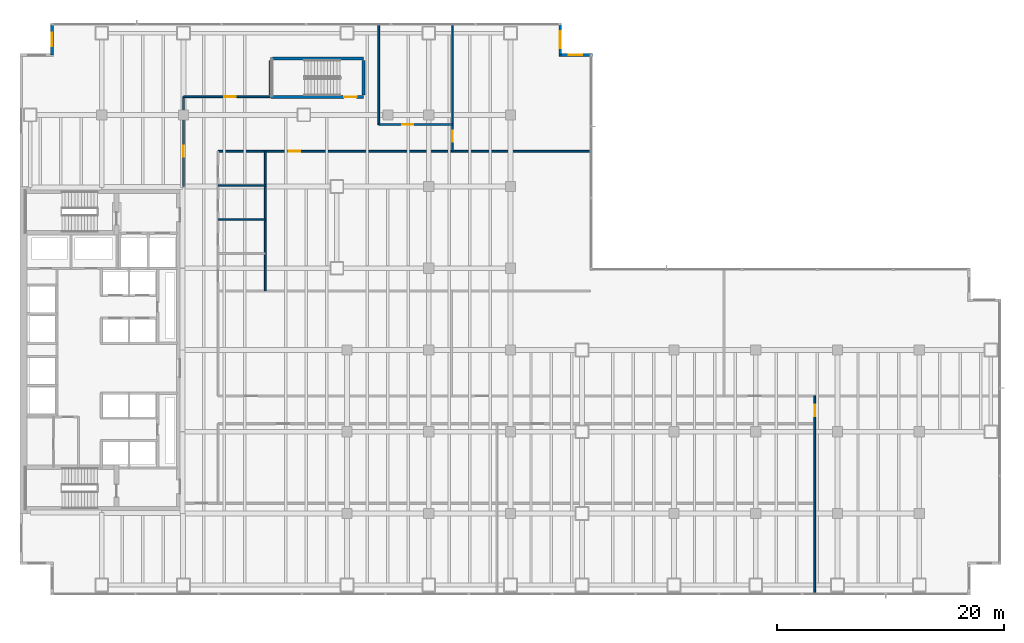
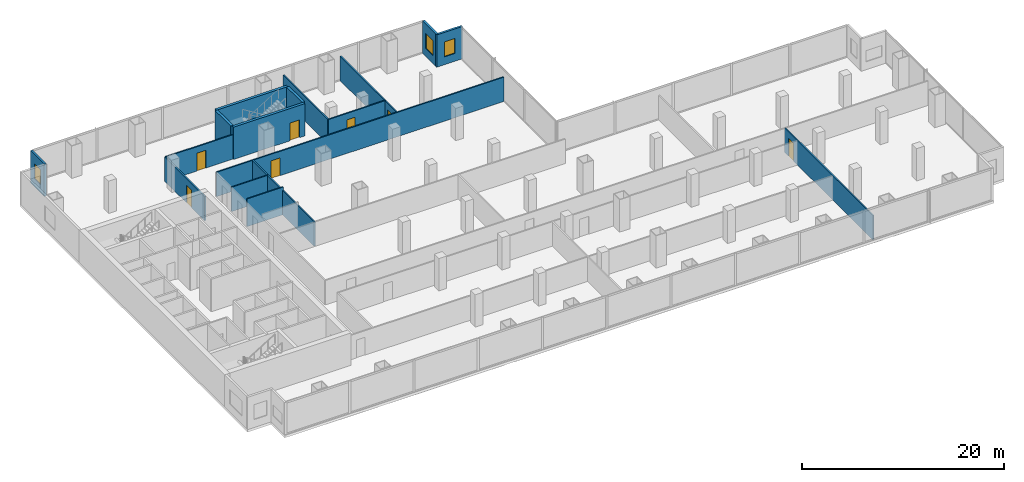
# One storey, part 25 of 31: 17 walls, 7 doors, 3 windows, 10 openings.
"""IFC4 building model written with IfcOpenShell, lengths in metres."""

import ifcopenshell
import ifcopenshell.guid

model = None  # the IFC model being written
_history = None  # IfcOwnerHistory: only IFC2X3 demands one
_inside = {}  # id of a spatial element -> (the spatial element, [elements in it])
_under = {}  # id of a project, library or spatial element -> (it, [spatial elements below it])
_declared = {}  # id of a project -> (the project, [libraries it declares])
_typed = {}  # id of a type object -> (the type object, [elements of that type])
_made_of = {}  # id of a material, layer set ... -> (it, [elements and type objects made of it])


def new_model(schema):
    """Start an empty IFC model of exactly this schema.

    Asked for "IFC4X3", IfcOpenShell would pick the latest addendum, in which some entities
    have other attributes; the version numbers below select the first issue.
    IFC2X3 requires an IfcOwnerHistory on every rooted entity: one is made here for all.
    """
    global model, _history
    if schema == "IFC4X3":
        model = ifcopenshell.file(schema_version=(4, 3, 0, 0))
    else:
        model = ifcopenshell.file(schema=schema)
    _inside.clear()
    _under.clear()
    _declared.clear()
    _typed.clear()
    _made_of.clear()
    _history = None
    if model.schema == "IFC2X3":
        org = make("IfcOrganization", Name="unknown")
        user = make(
            "IfcPersonAndOrganization",
            ThePerson=make("IfcPerson", FamilyName="unknown"),
            TheOrganization=org,
        )
        app = make(
            "IfcApplication",
            ApplicationDeveloper=org,
            Version="unknown",
            ApplicationFullName="unknown",
            ApplicationIdentifier="unknown",
        )
        _history = make(
            "IfcOwnerHistory",
            OwningUser=user,
            OwningApplication=app,
            ChangeAction="ADDED",
            CreationDate=0,
        )
    return model


def make(cls, **values):
    """One entity of the class cls with the attributes given. An attribute that is None is left unset."""
    return model.create_entity(
        cls, **{name: value for name, value in values.items() if value is not None}
    )


def rooted(cls, **values):
    """An entity with a GlobalId (a new one), such as an element, a storey or a relation."""
    return make(cls, GlobalId=ifcopenshell.guid.new(), OwnerHistory=_history, **values)


def si_unit(unit_type, name, prefix=None):
    """IfcSIUnit, for example si_unit("LENGTHUNIT", "METRE", prefix="MILLI")."""
    return make("IfcSIUnit", UnitType=unit_type, Prefix=prefix, Name=name)


def assignment(units):
    """IfcUnitAssignment: the units of a project."""
    return None if units is None else make("IfcUnitAssignment", Units=units)


def point(xyz):
    """IfcCartesianPoint."""
    return None if xyz is None else make("IfcCartesianPoint", Coordinates=xyz)


def direction(xyz):
    """IfcDirection."""
    return None if xyz is None else make("IfcDirection", DirectionRatios=xyz)


def frame(location, z_axis=None, x_axis=None):
    """IfcAxis2Placement3D, a coordinate frame: its origin and axes. An axis left out is left unset."""
    return make(
        "IfcAxis2Placement3D",
        Location=point(location),
        Axis=direction(z_axis),
        RefDirection=direction(x_axis),
    )


def frame_2d(location, x_axis=None):
    """IfcAxis2Placement2D, a coordinate frame in the plane: its origin and x axis."""
    return make(
        "IfcAxis2Placement2D", Location=point(location), RefDirection=direction(x_axis)
    )


def origin():
    """The frame at (0, 0, 0) with its axes left unset."""
    return frame((0.0, 0.0, 0.0))


def place(relative_to, where):
    """IfcLocalPlacement: puts the frame where relative to a parent placement (None: the world)."""
    return make(
        "IfcLocalPlacement", PlacementRelTo=relative_to, RelativePlacement=where
    )


def context(
    kind, dimensions, precision=None, world=None, true_north=None, identifier=None
):
    """IfcGeometricRepresentationContext, for example the 3D "Model" context."""
    return make(
        "IfcGeometricRepresentationContext",
        ContextIdentifier=identifier,
        ContextType=kind,
        CoordinateSpaceDimension=dimensions,
        Precision=precision,
        WorldCoordinateSystem=world,
        TrueNorth=true_north,
    )


def subcontext(parent, identifier, kind, view, scale=None):
    """IfcGeometricRepresentationSubContext, for example "Body" below "Model"."""
    return make(
        "IfcGeometricRepresentationSubContext",
        ContextIdentifier=identifier,
        ContextType=kind,
        ParentContext=parent,
        TargetScale=scale,
        TargetView=view,
    )


def project(units=None, contexts=None):
    """IfcProject with its units and contexts."""
    return rooted(
        "IfcProject",
        Name="project",
        RepresentationContexts=contexts,
        UnitsInContext=assignment(units),
    )


def spatial(cls, under=None, at=None, **own):
    """A site, building, storey or space (cls), placed at a placement, below another one or the project."""
    s = rooted(cls, ObjectPlacement=at, **own)
    if under is not None:
        _under.setdefault(under.id(), (under, []))[1].append(s)
    return s


def profile(cls, at=None, kind="AREA", **sizes):
    """A parametric profile (cls). Its sizes go by their IFC names, for example OverallWidth=200.0."""
    return make(cls, ProfileType=kind, Position=at, **sizes)


def rectangle(**sizes):
    """IfcRectangleProfileDef."""
    return profile("IfcRectangleProfileDef", **sizes)


def extrude(swept, where, along, depth):
    """IfcExtrudedAreaSolid: the profile swept, set in the frame where, extruded along a direction by depth."""
    return make(
        "IfcExtrudedAreaSolid",
        SweptArea=swept,
        Position=where,
        ExtrudedDirection=direction(along),
        Depth=depth,
    )


def shape(context_of_items, identifier, shape_type, items):
    """IfcShapeRepresentation: the items that make up one representation, for example the "Body"."""
    return make(
        "IfcShapeRepresentation",
        ContextOfItems=context_of_items,
        RepresentationIdentifier=identifier,
        RepresentationType=shape_type,
        Items=items,
    )


def material(Name=None, Category=None):
    """IfcMaterial."""
    return make("IfcMaterial", Name=Name, Category=Category)


def layer(
    of_material, thickness, ventilated=None, Name=None, Category=None, Priority=None
):
    """IfcMaterialLayer: one layer of a wall or slab, of a material (None: an air gap)."""
    return make(
        "IfcMaterialLayer",
        Material=of_material,
        LayerThickness=thickness,
        IsVentilated=ventilated,
        Name=Name,
        Category=Category,
        Priority=Priority,
    )


def layer_set(layers, Name=None):
    """IfcMaterialLayerSet."""
    return make("IfcMaterialLayerSet", MaterialLayers=layers, LayerSetName=Name)


def made_of(thing, what):
    """Note that an element or type object is made of a material, layer set ...; save() writes the relation."""
    if what is not None:
        _made_of.setdefault(what.id(), (what, []))[1].append(thing)
    return thing


def type_object(cls, material=None, **own):
    """A type object (cls), such as IfcWallType, which elements share."""
    return made_of(rooted(cls, **own), material)


def element(
    cls,
    number,
    at=None,
    inside=None,
    cuts=None,
    type_object=None,
    material=None,
    context=None,
    identifier="Body",
    shape_type=None,
    held_by="IfcProductDefinitionShape",
    body=None,
    shapes=None,
    **own,
):
    """One element of the class cls, such as IfcWall. Its Tag is "e" and its number.

    at: its placement. inside: the storey or other place that contains it. cuts: it is an
    opening in that element (IfcRelVoidsElement). A single representation is given by context,
    identifier, shape_type and body (its items); several are given by shapes. held_by: the class
    of the entity that holds the representations. save() writes the other relations.
    """
    e = rooted(cls, Tag="e%d" % number, ObjectPlacement=at, **own)
    if body is not None:
        shapes = [shape(context, identifier, shape_type, body)]
    if shapes is not None:
        e.Representation = make(held_by, Representations=shapes)
    if inside is not None:
        _inside.setdefault(inside.id(), (inside, []))[1].append(e)
    if cuts is not None:
        rooted(
            "IfcRelVoidsElement", RelatingBuildingElement=cuts, RelatedOpeningElement=e
        )
    if type_object is not None:
        _typed.setdefault(type_object.id(), (type_object, []))[1].append(e)
    return made_of(e, material)


def fill(opening, filler):
    """IfcRelFillsElement: the door or window that sits in an opening."""
    return rooted(
        "IfcRelFillsElement",
        RelatingOpeningElement=opening,
        RelatedBuildingElement=filler,
    )


def aggregate(whole, parts):
    """IfcRelAggregates: a whole, such as a stair, and the parts it consists of."""
    return rooted("IfcRelAggregates", RelatingObject=whole, RelatedObjects=parts)


def save(model, path):
    """Write the relations noted so far, then the file.

    IfcRelAggregates (storeys below a building ...), IfcRelContainedInSpatialStructure (elements
    in a storey), IfcRelDefinesByType, IfcRelAssociatesMaterial and IfcRelDeclares: one each for
    every whole, place, type object, material and project.
    """
    for whole, parts in _under.values():
        aggregate(whole, parts)
    for where, things in _inside.values():
        rooted(
            "IfcRelContainedInSpatialStructure",
            RelatedElements=things,
            RelatingStructure=where,
        )
    for kind, things in _typed.values():
        rooted("IfcRelDefinesByType", RelatedObjects=things, RelatingType=kind)
    for what, things in _made_of.values():
        rooted("IfcRelAssociatesMaterial", RelatedObjects=things, RelatingMaterial=what)
    for by, libraries in _declared.values():
        rooted("IfcRelDeclares", RelatingContext=by, RelatedDefinitions=libraries)
    model.write(path)


model = new_model("IFC4")

# Units and contexts
model_context = context("Model", 3, precision=1e-05, world=origin(), true_north=direction((0.0, 1.0)))
body_context = subcontext(model_context, "Body", "Model", "MODEL_VIEW")
ifc_project = project(units=[si_unit("LENGTHUNIT", "METRE"), si_unit("AREAUNIT", "SQUARE_METRE"), si_unit("VOLUMEUNIT", "CUBIC_METRE"), si_unit("PLANEANGLEUNIT", "RADIAN"), si_unit("MASSUNIT", "GRAM", prefix="KILO")], contexts=[model_context])

# Site, building, storey
site_placement = place(None, origin())
site = spatial("IfcSite", under=ifc_project, at=site_placement, CompositionType="ELEMENT")
building_placement = place(site_placement, origin())
building = spatial("IfcBuilding", under=site, at=building_placement, Name="Cobrela Telecom Tower", CompositionType="ELEMENT")
storey_placement = place(building_placement, frame((0.0, 0.0, 9.449951171875)))
storey = spatial("IfcBuildingStorey", under=building, at=storey_placement, Name="L02", CompositionType="ELEMENT", Elevation=9.449951171875)

# Wall, opening, window
ifc_material_1 = material(Name="Concrete C40/50", Category="concrete")
ifc_layer_1 = layer(ifc_material_1, 0.239990234375)
ifc_layer_set_1 = layer_set([ifc_layer_1], Name="Concrete C40/50")
wall_type_1 = type_object("IfcWallType", Name="WALL-EXT-300", PredefinedType="STANDARD", material=ifc_layer_set_1)
wall_1_placement = place(storey_placement, frame((2.820068359375, 47.580078125, 0.0), z_axis=(0.0, 0.0, 1.0), x_axis=(0.0, 1.0, 0.0)))
wall_1 = element("IfcWall", 1, at=wall_1_placement, inside=storey, type_object=wall_type_1, Name="L02 Insulated Facade Wall 06", PredefinedType="STANDARD", context=body_context, shape_type="SweptSolid", body=[
    extrude(rectangle(XDim=2.699951171875, YDim=0.239990234375, at=frame_2d((1.35009765625, 0.0))), origin(), (0.0, 0.0, 1.0), 3.900146484375),
])
opening_1_placement = place(wall_1_placement, frame((0.75, 0.0, 0.949951171875)))
opening_1 = element("IfcOpeningElement", 2, at=opening_1_placement, cuts=wall_1, Name="Opening WN-19", PredefinedType="OPENING", context=body_context, shape_type="SweptSolid", body=[
    extrude(rectangle(XDim=1.199951171875, YDim=1.800048828125, at=frame_2d((0.60009765625, 0.89990234375))), frame((0.0, 0.1318359375, 0.0), z_axis=(0.0, -1.0, 0.0), x_axis=(1.0, 0.0, 0.0)), (0.0, 0.0, 1.0), 0.263916015625),
])
ifc_material_2 = material(Name="Solar-Control Bronze Low-E Glass", Category="glass")
window_type_1 = type_object("IfcWindowType", Name="WIN-MOD-1200", PartitioningType="SINGLE_PANEL", PredefinedType="WINDOW", material=ifc_material_2)
window_1_placement = place(opening_1_placement, origin())
window_1 = element("IfcWindow", 3, at=window_1_placement, inside=storey, type_object=window_type_1, Name="L02 Corner Notch Facade Window 008", OverallHeight=1.800048828125, OverallWidth=1.199951171875, PartitioningType="SINGLE_PANEL", PredefinedType="WINDOW", context=body_context, shape_type="SweptSolid", body=[
    extrude(rectangle(XDim=1.199951171875, YDim=1.800048828125, at=frame_2d((0.60009765625, 0.89990234375))), frame((0.0, 0.030029296875, 0.0), z_axis=(0.0, -1.0, 0.0), x_axis=(1.0, 0.0, 0.0)), (0.0, 0.0, 1.0), 0.06005859375),
])
fill(opening_1, window_1)

wall_2_placement = place(storey_placement, frame((47.580078125, 50.280029296875, 0.0), z_axis=(0.0, 0.0, 1.0), x_axis=(0.0, -1.0, 0.0)))
wall_2 = element("IfcWall", 4, at=wall_2_placement, inside=storey, type_object=wall_type_1, Name="L02 Insulated Facade Wall 08", PredefinedType="STANDARD", context=body_context, shape_type="SweptSolid", body=[
    extrude(rectangle(XDim=2.699951171875, YDim=0.239990234375, at=frame_2d((1.35009765625, 0.0))), origin(), (0.0, 0.0, 1.0), 3.900146484375),
])
opening_2_placement = place(wall_2_placement, frame((0.60009765625, 0.0, 0.949951171875)))
opening_2 = element("IfcOpeningElement", 5, at=opening_2_placement, cuts=wall_2, Name="Opening WN-45", PredefinedType="OPENING", context=body_context, shape_type="SweptSolid", body=[
    extrude(rectangle(XDim=1.5, YDim=1.800048828125, at=frame_2d((0.75, 0.89990234375))), frame((0.0, 0.1318359375, 0.0), z_axis=(0.0, -1.0, 0.0), x_axis=(1.0, 0.0, 0.0)), (0.0, 0.0, 1.0), 0.263916015625),
])
window_type_2 = type_object("IfcWindowType", Name="WIN-MOD-1500", PartitioningType="SINGLE_PANEL", PredefinedType="WINDOW", material=ifc_material_2)
window_2_placement = place(opening_2_placement, origin())
window_2 = element("IfcWindow", 6, at=window_2_placement, inside=storey, type_object=window_type_2, Name="L02 Corner Notch Facade Window 009", OverallHeight=1.800048828125, OverallWidth=1.5, PartitioningType="SINGLE_PANEL", PredefinedType="WINDOW", context=body_context, shape_type="SweptSolid", body=[
    extrude(rectangle(XDim=1.5, YDim=1.800048828125, at=frame_2d((0.75, 0.89990234375))), frame((0.0, 0.030029296875, 0.0), z_axis=(0.0, -1.0, 0.0), x_axis=(1.0, 0.0, 0.0)), (0.0, 0.0, 1.0), 0.06005859375),
])
fill(opening_2, window_2)

wall_3_placement = place(storey_placement, frame((47.4599609375, 47.580078125, 0.0), z_axis=(0.0, 0.0, 1.0), x_axis=(1.0, 0.0, 0.0)))
wall_3 = element("IfcWall", 7, at=wall_3_placement, inside=storey, type_object=wall_type_1, Name="L02 Insulated Facade Wall 09", PredefinedType="STANDARD", context=body_context, shape_type="SweptSolid", body=[
    extrude(rectangle(XDim=2.93994140625, YDim=0.239990234375, at=frame_2d((1.469970703125, 0.0))), origin(), (0.0, 0.0, 1.0), 3.900146484375),
])
opening_3_placement = place(wall_3_placement, frame((0.8701171875, 0.0, 0.949951171875)))
opening_3 = element("IfcOpeningElement", 8, at=opening_3_placement, cuts=wall_3, Name="Opening WN-19", PredefinedType="OPENING", context=body_context, shape_type="SweptSolid", body=[
    extrude(rectangle(XDim=1.199951171875, YDim=1.800048828125, at=frame_2d((0.60009765625, 0.89990234375))), frame((0.0, 0.1318359375, 0.0), z_axis=(0.0, -1.0, 0.0), x_axis=(1.0, 0.0, 0.0)), (0.0, 0.0, 1.0), 0.263916015625),
])
window_3_placement = place(opening_3_placement, origin())
window_3 = element("IfcWindow", 9, at=window_3_placement, inside=storey, type_object=window_type_1, Name="L02 Corner Notch Facade Window 010", OverallHeight=1.800048828125, OverallWidth=1.199951171875, PartitioningType="SINGLE_PANEL", PredefinedType="WINDOW", context=body_context, shape_type="SweptSolid", body=[
    extrude(rectangle(XDim=1.199951171875, YDim=1.800048828125, at=frame_2d((0.60009765625, 0.89990234375))), frame((0.0, 0.030029296875, 0.0), z_axis=(0.0, -1.0, 0.0), x_axis=(1.0, 0.0, 0.0)), (0.0, 0.0, 1.0), 0.06005859375),
])
fill(opening_3, window_3)

# Walls
ifc_material_3 = material(Name="Fire-Rated Gypsum Plasterboard")
ifc_layer_2 = layer(ifc_material_3, 0.125)
ifc_layer_set_2 = layer_set([ifc_layer_2], Name="Fire-Rated Gypsum Plasterboard")
wall_type_2 = type_object("IfcWallType", Name="WALL-PART-125", PredefinedType="PARTITIONING", material=ifc_layer_set_2)
wall_4_placement = place(storey_placement, frame((17.449951171875, 36.10009765625, 0.0), z_axis=(0.0, 0.0, 1.0), x_axis=(1.0, 0.0, 0.0)))
element("IfcWall", 10, at=wall_4_placement, inside=storey, type_object=wall_type_2, Name="L02 Interior Partition W-PWC-1", PredefinedType="PARTITIONING", context=body_context, shape_type="SweptSolid", body=[
    extrude(rectangle(XDim=4.150146484375, YDim=0.125, at=frame_2d((2.0751953125, 0.0))), origin(), (0.0, 0.0, 1.0), 2.93798828125),
])
wall_5_placement = place(storey_placement, frame((17.449951171875, 33.10009765625, 0.0), z_axis=(0.0, 0.0, 1.0), x_axis=(1.0, 0.0, 0.0)))
element("IfcWall", 11, at=wall_5_placement, inside=storey, type_object=wall_type_2, Name="L02 Interior Partition W-PWC-2", PredefinedType="PARTITIONING", context=body_context, shape_type="SweptSolid", body=[
    extrude(rectangle(XDim=4.150146484375, YDim=0.125, at=frame_2d((2.0751953125, 0.0))), origin(), (0.0, 0.0, 1.0), 3.3359375),
])

# Wall, opening, door
ifc_layer_3 = layer(ifc_material_3, 0.14990234375)
ifc_layer_set_3 = layer_set([ifc_layer_3], Name="Fire-Rated Gypsum Plasterboard")
wall_type_3 = type_object("IfcWallType", Name="WALL-PART-150", PredefinedType="PARTITIONING", material=ifc_layer_set_3)
wall_6_placement = place(storey_placement, frame((14.39990234375, 43.89990234375, 0.0), z_axis=(0.0, 0.0, 1.0), x_axis=(1.0, 0.0, 0.0)))
wall_6 = element("IfcWall", 12, at=wall_6_placement, inside=storey, type_object=wall_type_3, Name="L02 Interior Partition W-PC-N1", PredefinedType="PARTITIONING", context=body_context, shape_type="SweptSolid", body=[
    extrude(rectangle(XDim=7.7001953125, YDim=0.14990234375, at=frame_2d((3.85009765625, 0.0))), origin(), (0.0, 0.0, 1.0), 2.93798828125),
])
opening_4_placement = place(wall_6_placement, frame((3.60009765625, 0.0, 0.0)))
opening_4 = element("IfcOpeningElement", 13, at=opening_4_placement, cuts=wall_6, Name="Opening DR-31", PredefinedType="OPENING", context=body_context, shape_type="SweptSolid", body=[
    extrude(rectangle(XDim=1.0, YDim=2.14990234375, at=frame_2d((0.5, 1.074951171875))), frame((0.0, 0.0869140625, 0.0), z_axis=(0.0, -1.0, 0.0), x_axis=(1.0, 0.0, 0.0)), (0.0, 0.0, 1.0), 0.173828125),
])
ifc_material_4 = material(Name="Solid Engineered Oak Timber", Category="wood")
door_type_1 = type_object("IfcDoorType", Name="DOOR-INT-1000", OperationType="SINGLE_SWING_LEFT", PredefinedType="DOOR", material=ifc_material_4)
door_1_placement = place(opening_4_placement, origin())
door_1 = element("IfcDoor", 14, at=door_1_placement, inside=storey, type_object=door_type_1, Name="L02 Door DR-31", OperationType="SINGLE_SWING_LEFT", OverallHeight=2.14990234375, OverallWidth=1.0, PredefinedType="DOOR", context=body_context, shape_type="SweptSolid", body=[
    extrude(rectangle(XDim=1.0, YDim=2.14990234375, at=frame_2d((0.5, 1.074951171875))), frame((0.0, 0.02490234375, 0.0), z_axis=(0.0, -1.0, 0.0), x_axis=(1.0, 0.0, 0.0)), (0.0, 0.0, 1.0), 0.050048828125),
])
fill(opening_4, door_1)

wall_7_placement = place(storey_placement, frame((31.60009765625, 41.449951171875, 0.0), z_axis=(0.0, 0.0, 1.0), x_axis=(1.0, 0.0, 0.0)))
wall_7 = element("IfcWall", 15, at=wall_7_placement, inside=storey, type_object=wall_type_3, Name="L02 Interior Partition W-PC-N2C", PredefinedType="PARTITIONING", context=body_context, shape_type="SweptSolid", body=[
    extrude(rectangle(XDim=6.5, YDim=0.14990234375, at=frame_2d((3.25, 0.0))), origin(), (0.0, 0.0, 1.0), 2.93798828125),
])
opening_5_placement = place(wall_7_placement, frame((2.080078125, 0.0, 0.0)))
opening_5 = element("IfcOpeningElement", 16, at=opening_5_placement, cuts=wall_7, Name="Opening DR-67", PredefinedType="OPENING", context=body_context, shape_type="SweptSolid", body=[
    extrude(rectangle(XDim=0.949951171875, YDim=2.14990234375, at=frame_2d((0.47509765625, 1.074951171875))), frame((0.0, 0.0869140625, 0.0), z_axis=(0.0, -1.0, 0.0), x_axis=(1.0, 0.0, 0.0)), (0.0, 0.0, 1.0), 0.173828125),
])
door_type_2 = type_object("IfcDoorType", Name="DOOR-INT-950", OperationType="SINGLE_SWING_LEFT", PredefinedType="DOOR", material=ifc_material_4)
door_2_placement = place(opening_5_placement, origin())
door_2 = element("IfcDoor", 17, at=door_2_placement, inside=storey, type_object=door_type_2, Name="L02 Door DR-67", OperationType="SINGLE_SWING_RIGHT", OverallHeight=2.14990234375, OverallWidth=0.949951171875, PredefinedType="DOOR", context=body_context, shape_type="SweptSolid", body=[
    extrude(rectangle(XDim=0.949951171875, YDim=2.14990234375, at=frame_2d((0.47509765625, 1.074951171875))), frame((0.0, 0.02490234375, 0.0), z_axis=(0.0, -1.0, 0.0), x_axis=(1.0, 0.0, 0.0)), (0.0, 0.0, 1.0), 0.050048828125),
])
fill(opening_5, door_2)

wall_8_placement = place(storey_placement, frame((17.449951171875, 39.10009765625, 0.0), z_axis=(0.0, 0.0, 1.0), x_axis=(1.0, 0.0, 0.0)))
wall_8 = element("IfcWall", 18, at=wall_8_placement, inside=storey, type_object=wall_type_3, Name="L02 Interior Partition W-PC-N2B", PredefinedType="PARTITIONING", context=body_context, shape_type="SweptSolid", body=[
    extrude(rectangle(XDim=32.830078125, YDim=0.14990234375, at=frame_2d((16.4150390625, 0.0))), origin(), (0.0, 0.0, 1.0), 2.93798828125),
])
opening_6_placement = place(wall_8_placement, frame((6.199951171875, 0.0, 0.0)))
opening_6 = element("IfcOpeningElement", 19, at=opening_6_placement, cuts=wall_8, Name="Opening DR-29", PredefinedType="OPENING", context=body_context, shape_type="SweptSolid", body=[
    extrude(rectangle(XDim=1.050048828125, YDim=2.14990234375, at=frame_2d((0.52490234375, 1.074951171875))), frame((0.0, 0.0869140625, 0.0), z_axis=(0.0, -1.0, 0.0), x_axis=(1.0, 0.0, 0.0)), (0.0, 0.0, 1.0), 0.173828125),
])
door_type_3 = type_object("IfcDoorType", Name="DOOR-INT-1050", OperationType="SINGLE_SWING_LEFT", PredefinedType="DOOR", material=ifc_material_4)
door_3_placement = place(opening_6_placement, origin())
door_3 = element("IfcDoor", 20, at=door_3_placement, inside=storey, type_object=door_type_3, Name="L02 Door DR-29", OperationType="SINGLE_SWING_RIGHT", OverallHeight=2.14990234375, OverallWidth=1.050048828125, PredefinedType="DOOR", context=body_context, shape_type="SweptSolid", body=[
    extrude(rectangle(XDim=1.050048828125, YDim=2.14990234375, at=frame_2d((0.52490234375, 1.074951171875))), frame((0.0, 0.02490234375, 0.0), z_axis=(0.0, -1.0, 0.0), x_axis=(1.0, 0.0, 0.0)), (0.0, 0.0, 1.0), 0.050048828125),
])
fill(opening_6, door_3)

# Wall
wall_9_placement = place(storey_placement, frame((31.60009765625, 41.449951171875, 0.0), z_axis=(0.0, 0.0, 1.0), x_axis=(0.0, 1.0, 0.0)))
element("IfcWall", 21, at=wall_9_placement, inside=storey, type_object=wall_type_3, Name="L02 Interior Partition W-PC-N3M", PredefinedType="PARTITIONING", context=body_context, shape_type="SweptSolid", body=[
    extrude(rectangle(XDim=8.830078125, YDim=0.14990234375, at=frame_2d((4.4150390625, 0.0))), origin(), (0.0, 0.0, 1.0), 2.93798828125),
])

# Wall, opening, door
wall_10_placement = place(storey_placement, frame((38.10009765625, 39.10009765625, 0.0), z_axis=(0.0, 0.0, 1.0), x_axis=(0.0, 1.0, 0.0)))
wall_10 = element("IfcWall", 22, at=wall_10_placement, inside=storey, type_object=wall_type_3, Name="L02 Interior Partition W-PC-N3E", PredefinedType="PARTITIONING", context=body_context, shape_type="SweptSolid", body=[
    extrude(rectangle(XDim=11.179931640625, YDim=0.14990234375, at=frame_2d((5.58984375, 0.0))), origin(), (0.0, 0.0, 1.0), 2.93798828125),
])
opening_7_placement = place(wall_10_placement, frame((0.85009765625, 0.0, 0.0)))
opening_7 = element("IfcOpeningElement", 23, at=opening_7_placement, cuts=wall_10, Name="Opening DR-67", PredefinedType="OPENING", context=body_context, shape_type="SweptSolid", body=[
    extrude(rectangle(XDim=0.949951171875, YDim=2.14990234375, at=frame_2d((0.47509765625, 1.074951171875))), frame((0.0, 0.0869140625, 0.0), z_axis=(0.0, -1.0, 0.0), x_axis=(1.0, 0.0, 0.0)), (0.0, 0.0, 1.0), 0.173828125),
])
door_4_placement = place(opening_7_placement, origin())
door_4 = element("IfcDoor", 24, at=door_4_placement, inside=storey, type_object=door_type_2, Name="L02 Door DR-67", OperationType="SINGLE_SWING_LEFT", OverallHeight=2.14990234375, OverallWidth=0.949951171875, PredefinedType="DOOR", context=body_context, shape_type="SweptSolid", body=[
    extrude(rectangle(XDim=0.949951171875, YDim=2.14990234375, at=frame_2d((0.47509765625, 1.074951171875))), frame((0.0, 0.02490234375, 0.0), z_axis=(0.0, -1.0, 0.0), x_axis=(1.0, 0.0, 0.0)), (0.0, 0.0, 1.0), 0.050048828125),
])
fill(opening_7, door_4)

wall_11_placement = place(storey_placement, frame((70.0, 0.1201171875, 0.0), z_axis=(0.0, 0.0, 1.0), x_axis=(0.0, 1.0, 0.0)))
wall_11 = element("IfcWall", 25, at=wall_11_placement, inside=storey, type_object=wall_type_3, Name="L02 Interior Partition W-PC-END", PredefinedType="PARTITIONING", context=body_context, shape_type="SweptSolid", body=[
    extrude(rectangle(XDim=17.429931640625, YDim=0.14990234375, at=frame_2d((8.71484375, 0.0))), origin(), (0.0, 0.0, 1.0), 2.93798828125),
])
opening_8_placement = place(wall_11_placement, frame((15.64990234375, 0.0, 0.0)))
opening_8 = element("IfcOpeningElement", 26, at=opening_8_placement, cuts=wall_11, Name="Opening DR-31", PredefinedType="OPENING", context=body_context, shape_type="SweptSolid", body=[
    extrude(rectangle(XDim=1.0, YDim=2.14990234375, at=frame_2d((0.5, 1.074951171875))), frame((0.0, 0.0869140625, 0.0), z_axis=(0.0, -1.0, 0.0), x_axis=(1.0, 0.0, 0.0)), (0.0, 0.0, 1.0), 0.173828125),
])
door_5_placement = place(opening_8_placement, origin())
door_5 = element("IfcDoor", 27, at=door_5_placement, inside=storey, type_object=door_type_1, Name="L02 Door DR-31", OperationType="SINGLE_SWING_LEFT", OverallHeight=2.14990234375, OverallWidth=1.0, PredefinedType="DOOR", context=body_context, shape_type="SweptSolid", body=[
    extrude(rectangle(XDim=1.0, YDim=2.14990234375, at=frame_2d((0.5, 1.074951171875))), frame((0.0, 0.02490234375, 0.0), z_axis=(0.0, -1.0, 0.0), x_axis=(1.0, 0.0, 0.0)), (0.0, 0.0, 1.0), 0.050048828125),
])
fill(opening_8, door_5)

# Wall
wall_12_placement = place(storey_placement, frame((21.60009765625, 26.800048828125, 0.0), z_axis=(0.0, 0.0, 1.0), x_axis=(0.0, 1.0, 0.0)))
element("IfcWall", 28, at=wall_12_placement, inside=storey, type_object=wall_type_3, Name="L02 Interior Partition W-PWC-E", PredefinedType="PARTITIONING", context=body_context, shape_type="SweptSolid", body=[
    extrude(rectangle(XDim=12.300048828125, YDim=0.14990234375, at=frame_2d((6.14990234375, 0.0))), origin(), (0.0, 0.0, 1.0), 2.93798828125),
])

# Wall, opening, door
wall_13_placement = place(storey_placement, frame((14.39990234375, 36.0, 0.0), z_axis=(0.0, 0.0, 1.0), x_axis=(0.0, 1.0, 0.0)))
wall_13 = element("IfcWall", 29, at=wall_13_placement, inside=storey, type_object=wall_type_3, Name="L02 Interior Partition W-POD-NWE", PredefinedType="PARTITIONING", context=body_context, shape_type="SweptSolid", body=[
    extrude(rectangle(XDim=7.89990234375, YDim=0.14990234375, at=frame_2d((3.949951171875, 0.0))), origin(), (0.0, 0.0, 1.0), 2.93798828125),
])
opening_9_placement = place(wall_13_placement, frame((2.60009765625, 0.0, 0.0)))
opening_9 = element("IfcOpeningElement", 30, at=opening_9_placement, cuts=wall_13, Name="Opening DR-31", PredefinedType="OPENING", context=body_context, shape_type="SweptSolid", body=[
    extrude(rectangle(XDim=1.0, YDim=2.14990234375, at=frame_2d((0.5, 1.074951171875))), frame((0.0, 0.0869140625, 0.0), z_axis=(0.0, -1.0, 0.0), x_axis=(1.0, 0.0, 0.0)), (0.0, 0.0, 1.0), 0.173828125),
])
door_6_placement = place(opening_9_placement, origin())
door_6 = element("IfcDoor", 31, at=door_6_placement, inside=storey, type_object=door_type_1, Name="L02 Door DR-31", OperationType="SINGLE_SWING_RIGHT", OverallHeight=2.14990234375, OverallWidth=1.0, PredefinedType="DOOR", context=body_context, shape_type="SweptSolid", body=[
    extrude(rectangle(XDim=1.0, YDim=2.14990234375, at=frame_2d((0.5, 1.074951171875))), frame((0.0, 0.02490234375, 0.0), z_axis=(0.0, -1.0, 0.0), x_axis=(1.0, 0.0, 0.0)), (0.0, 0.0, 1.0), 0.050048828125),
])
fill(opening_9, door_6)

ifc_layer_4 = layer(ifc_material_1, 0.39990234375)
ifc_layer_set_4 = layer_set([ifc_layer_4], Name="Concrete C40/50")
wall_type_4 = type_object("IfcWallType", Name="WALL-SHAFT-C40-400", PredefinedType="SHEAR", material=ifc_layer_set_4)
wall_14_placement = place(storey_placement, frame((22.10009765625, 43.8798828125, 0.0), z_axis=(0.0, 0.0, 1.0), x_axis=(1.0, 0.0, 0.0)))
wall_14 = element("IfcWall", 32, at=wall_14_placement, inside=storey, type_object=wall_type_4, Name="L02 Podium Stair ST3 South Shear Wall", PredefinedType="SHEAR", context=body_context, shape_type="SweptSolid", body=[
    extrude(rectangle(XDim=8.14990234375, YDim=0.300048828125, at=frame_2d((4.074951171875, 0.0))), origin(), (0.0, 0.0, 1.0), 3.900146484375),
])
opening_10_placement = place(wall_14_placement, frame((6.449951171875, 0.0, 0.0)))
opening_10 = element("IfcOpeningElement", 33, at=opening_10_placement, cuts=wall_14, Name="Opening FD-90", PredefinedType="OPENING", context=body_context, shape_type="SweptSolid", body=[
    extrude(rectangle(XDim=1.10009765625, YDim=2.14990234375, at=frame_2d((0.550048828125, 1.074951171875))), frame((0.0, 0.162109375, 0.0), z_axis=(0.0, -1.0, 0.0), x_axis=(1.0, 0.0, 0.0)), (0.0, 0.0, 1.0), 0.323974609375),
])
ifc_material_5 = material(Name="Steel ASTM A36", Category="steel")
door_type_4 = type_object("IfcDoorType", Name="DOOR-FD90-1100", OperationType="SINGLE_SWING_LEFT", PredefinedType="DOOR", material=ifc_material_5)
door_7_placement = place(opening_10_placement, origin())
door_7 = element("IfcDoor", 34, at=door_7_placement, inside=storey, type_object=door_type_4, Name="L02 Door FD-90", OperationType="SINGLE_SWING_LEFT", OverallHeight=2.14990234375, OverallWidth=1.10009765625, PredefinedType="DOOR", context=body_context, shape_type="SweptSolid", body=[
    extrude(rectangle(XDim=1.10009765625, YDim=2.14990234375, at=frame_2d((0.550048828125, 1.074951171875))), frame((0.0, 0.02490234375, 0.0), z_axis=(0.0, -1.0, 0.0), x_axis=(1.0, 0.0, 0.0)), (0.0, 0.0, 1.0), 0.050048828125),
])
fill(opening_10, door_7)

# Walls
wall_15_placement = place(storey_placement, frame((22.10009765625, 47.27001953125, 0.0), z_axis=(0.0, 0.0, 1.0), x_axis=(1.0, 0.0, 0.0)))
element("IfcWall", 35, at=wall_15_placement, inside=storey, type_object=wall_type_4, Name="L02 Podium Stair ST3 North Shear Wall", PredefinedType="SHEAR", context=body_context, shape_type="SweptSolid", body=[
    extrude(rectangle(XDim=8.14990234375, YDim=0.300048828125, at=frame_2d((4.074951171875, 0.0))), origin(), (0.0, 0.0, 1.0), 3.900146484375),
])
for number, where, z_axis, x_axis, name in (
    (36, (22.10009765625, 44.050048828125, 0.0), (0.0, 0.0, 1.0), (0.0, 1.0, 0.0), "L02 Podium Stair ST3 West Shear Wall"),
    (37, (30.25, 44.050048828125, 0.0), (0.0, 0.0, 1.0), (0.0, 1.0, 0.0), "L02 Podium Stair ST3 East Shear Wall"),
):
    element("IfcWall", number, at=place(storey_placement, frame(where, z_axis=z_axis, x_axis=x_axis)), inside=storey, type_object=wall_type_4, Name=name, PredefinedType="SHEAR", context=body_context, shape_type="SweptSolid", body=[
        extrude(rectangle(XDim=3.050048828125, YDim=0.300048828125, at=frame_2d((1.52490234375, 0.0))), origin(), (0.0, 0.0, 1.0), 3.900146484375),
    ])

save(model, "model.ifc")
